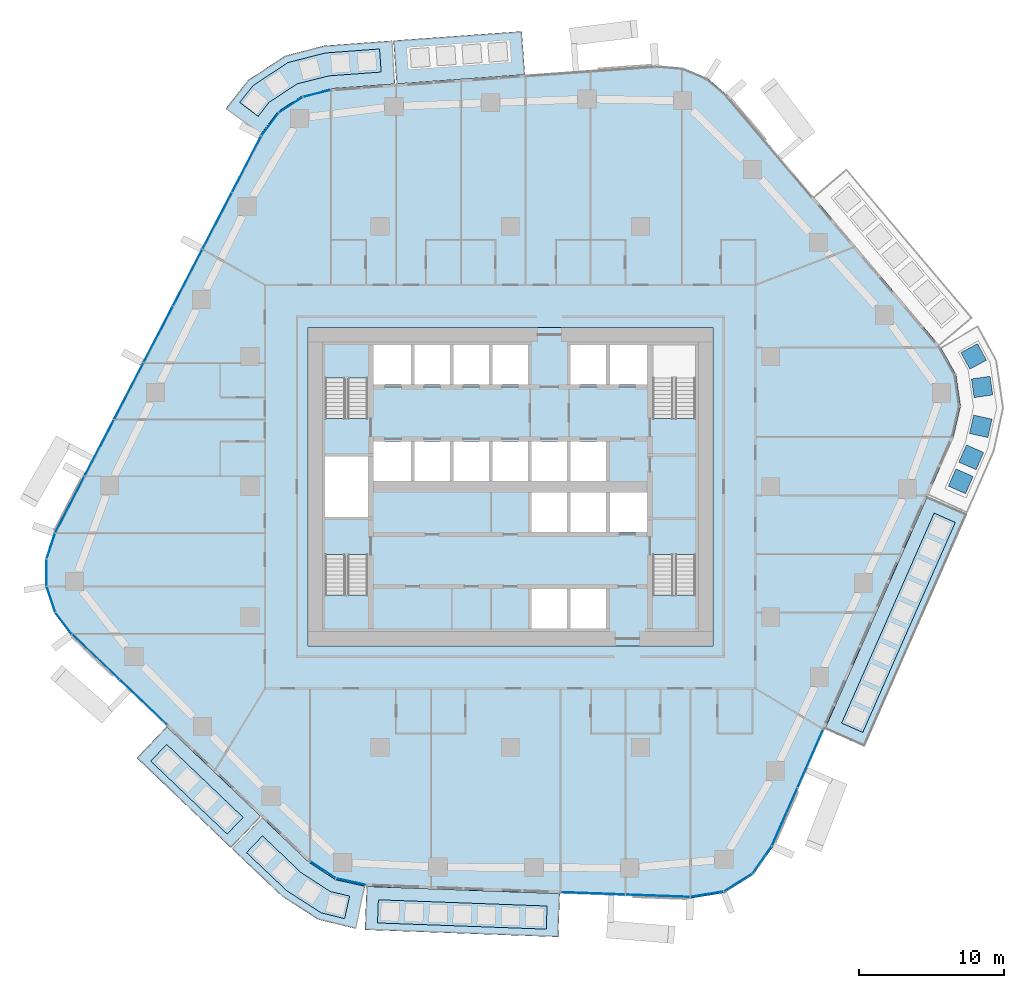
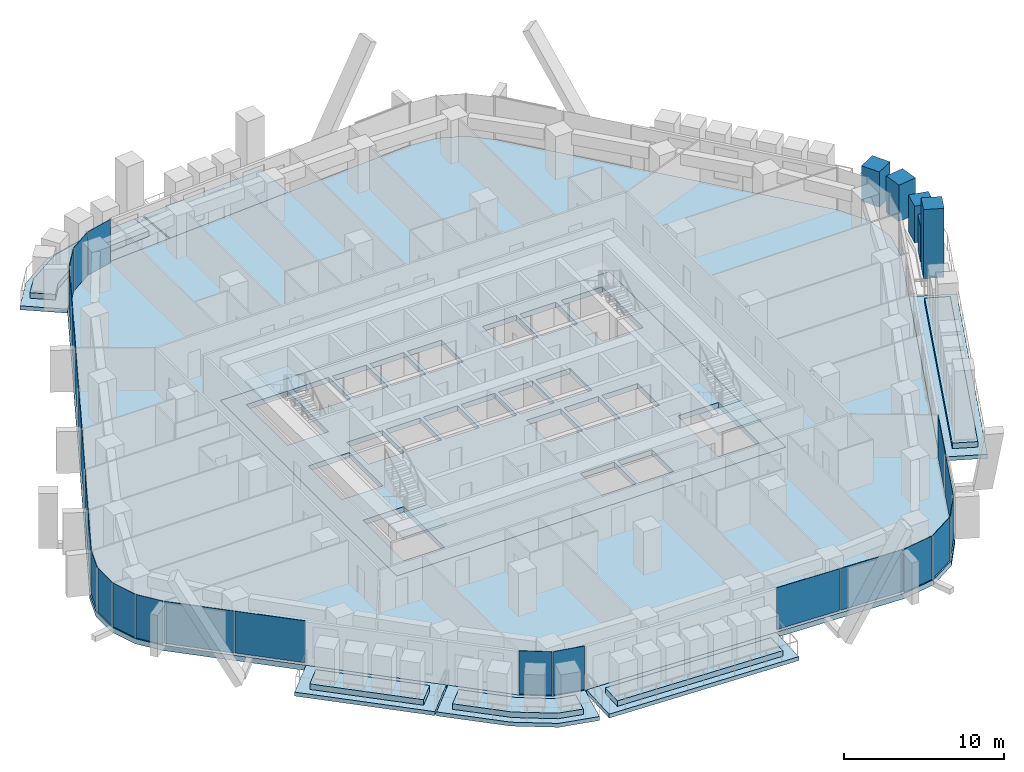
# One storey, part 10 of 24: 25 plates, 16 slabs, 5 members, 11 elements without a shape of their own.
"""IFC4 building model written with IfcOpenShell, lengths in metres."""

import ifcopenshell
import ifcopenshell.guid

model = None  # the IFC model being written
_history = None  # IfcOwnerHistory: only IFC2X3 demands one
_inside = {}  # id of a spatial element -> (the spatial element, [elements in it])
_under = {}  # id of a project, library or spatial element -> (it, [spatial elements below it])
_declared = {}  # id of a project -> (the project, [libraries it declares])
_typed = {}  # id of a type object -> (the type object, [elements of that type])
_made_of = {}  # id of a material, layer set ... -> (it, [elements and type objects made of it])


def new_model(schema):
    """Start an empty IFC model of exactly this schema.

    Asked for "IFC4X3", IfcOpenShell would pick the latest addendum, in which some entities
    have other attributes; the version numbers below select the first issue.
    IFC2X3 requires an IfcOwnerHistory on every rooted entity: one is made here for all.
    """
    global model, _history
    if schema == "IFC4X3":
        model = ifcopenshell.file(schema_version=(4, 3, 0, 0))
    else:
        model = ifcopenshell.file(schema=schema)
    _inside.clear()
    _under.clear()
    _declared.clear()
    _typed.clear()
    _made_of.clear()
    _history = None
    if model.schema == "IFC2X3":
        org = make("IfcOrganization", Name="unknown")
        user = make(
            "IfcPersonAndOrganization",
            ThePerson=make("IfcPerson", FamilyName="unknown"),
            TheOrganization=org,
        )
        app = make(
            "IfcApplication",
            ApplicationDeveloper=org,
            Version="unknown",
            ApplicationFullName="unknown",
            ApplicationIdentifier="unknown",
        )
        _history = make(
            "IfcOwnerHistory",
            OwningUser=user,
            OwningApplication=app,
            ChangeAction="ADDED",
            CreationDate=0,
        )
    return model


def make(cls, **values):
    """One entity of the class cls with the attributes given. An attribute that is None is left unset."""
    return model.create_entity(
        cls, **{name: value for name, value in values.items() if value is not None}
    )


def rooted(cls, **values):
    """An entity with a GlobalId (a new one), such as an element, a storey or a relation."""
    return make(cls, GlobalId=ifcopenshell.guid.new(), OwnerHistory=_history, **values)


def si_unit(unit_type, name, prefix=None):
    """IfcSIUnit, for example si_unit("LENGTHUNIT", "METRE", prefix="MILLI")."""
    return make("IfcSIUnit", UnitType=unit_type, Prefix=prefix, Name=name)


def assignment(units):
    """IfcUnitAssignment: the units of a project."""
    return None if units is None else make("IfcUnitAssignment", Units=units)


def point(xyz):
    """IfcCartesianPoint."""
    return None if xyz is None else make("IfcCartesianPoint", Coordinates=xyz)


def direction(xyz):
    """IfcDirection."""
    return None if xyz is None else make("IfcDirection", DirectionRatios=xyz)


def frame(location, z_axis=None, x_axis=None):
    """IfcAxis2Placement3D, a coordinate frame: its origin and axes. An axis left out is left unset."""
    return make(
        "IfcAxis2Placement3D",
        Location=point(location),
        Axis=direction(z_axis),
        RefDirection=direction(x_axis),
    )


def frame_2d(location, x_axis=None):
    """IfcAxis2Placement2D, a coordinate frame in the plane: its origin and x axis."""
    return make(
        "IfcAxis2Placement2D", Location=point(location), RefDirection=direction(x_axis)
    )


def origin():
    """The frame at (0, 0, 0) with its axes left unset."""
    return frame((0.0, 0.0, 0.0))


def origin_2d():
    """The frame at (0, 0) in the plane with its x axis left unset."""
    return frame_2d((0.0, 0.0))


def place(relative_to, where):
    """IfcLocalPlacement: puts the frame where relative to a parent placement (None: the world)."""
    return make(
        "IfcLocalPlacement", PlacementRelTo=relative_to, RelativePlacement=where
    )


def context(
    kind, dimensions, precision=None, world=None, true_north=None, identifier=None
):
    """IfcGeometricRepresentationContext, for example the 3D "Model" context."""
    return make(
        "IfcGeometricRepresentationContext",
        ContextIdentifier=identifier,
        ContextType=kind,
        CoordinateSpaceDimension=dimensions,
        Precision=precision,
        WorldCoordinateSystem=world,
        TrueNorth=true_north,
    )


def subcontext(parent, identifier, kind, view, scale=None):
    """IfcGeometricRepresentationSubContext, for example "Body" below "Model"."""
    return make(
        "IfcGeometricRepresentationSubContext",
        ContextIdentifier=identifier,
        ContextType=kind,
        ParentContext=parent,
        TargetScale=scale,
        TargetView=view,
    )


def project(units=None, contexts=None):
    """IfcProject with its units and contexts."""
    return rooted(
        "IfcProject",
        Name="project",
        RepresentationContexts=contexts,
        UnitsInContext=assignment(units),
    )


def spatial(cls, under=None, at=None, **own):
    """A site, building, storey or space (cls), placed at a placement, below another one or the project."""
    s = rooted(cls, ObjectPlacement=at, **own)
    if under is not None:
        _under.setdefault(under.id(), (under, []))[1].append(s)
    return s


def polyline(points):
    """IfcPolyline through the points."""
    return make("IfcPolyline", Points=[point(p) for p in points])


def profile(cls, at=None, kind="AREA", **sizes):
    """A parametric profile (cls). Its sizes go by their IFC names, for example OverallWidth=200.0."""
    return make(cls, ProfileType=kind, Position=at, **sizes)


def rectangle(**sizes):
    """IfcRectangleProfileDef."""
    return profile("IfcRectangleProfileDef", **sizes)


def outline(outer, holes=None, kind="AREA"):
    """IfcArbitraryClosedProfileDef: a profile drawn as a closed curve; with holes, ...WithVoids."""
    if holes is None:
        return make("IfcArbitraryClosedProfileDef", ProfileType=kind, OuterCurve=outer)
    return make(
        "IfcArbitraryProfileDefWithVoids",
        ProfileType=kind,
        OuterCurve=outer,
        InnerCurves=holes,
    )


def extrude(swept, where, along, depth):
    """IfcExtrudedAreaSolid: the profile swept, set in the frame where, extruded along a direction by depth."""
    return make(
        "IfcExtrudedAreaSolid",
        SweptArea=swept,
        Position=where,
        ExtrudedDirection=direction(along),
        Depth=depth,
    )


def shape(context_of_items, identifier, shape_type, items):
    """IfcShapeRepresentation: the items that make up one representation, for example the "Body"."""
    return make(
        "IfcShapeRepresentation",
        ContextOfItems=context_of_items,
        RepresentationIdentifier=identifier,
        RepresentationType=shape_type,
        Items=items,
    )


def material(Name=None, Category=None):
    """IfcMaterial."""
    return make("IfcMaterial", Name=Name, Category=Category)


def layer(
    of_material, thickness, ventilated=None, Name=None, Category=None, Priority=None
):
    """IfcMaterialLayer: one layer of a wall or slab, of a material (None: an air gap)."""
    return make(
        "IfcMaterialLayer",
        Material=of_material,
        LayerThickness=thickness,
        IsVentilated=ventilated,
        Name=Name,
        Category=Category,
        Priority=Priority,
    )


def layer_set(layers, Name=None):
    """IfcMaterialLayerSet."""
    return make("IfcMaterialLayerSet", MaterialLayers=layers, LayerSetName=Name)


def material_profile(
    of_material, cross_section, Name=None, Category=None, Priority=None
):
    """IfcMaterialProfile: a cross section and its material."""
    return make(
        "IfcMaterialProfile",
        Name=Name,
        Material=of_material,
        Profile=cross_section,
        Priority=Priority,
        Category=Category,
    )


def profile_set(profiles, Name=None, composite=None):
    """IfcMaterialProfileSet."""
    return make(
        "IfcMaterialProfileSet",
        Name=Name,
        MaterialProfiles=profiles,
        CompositeProfile=composite,
    )


def made_of(thing, what):
    """Note that an element or type object is made of a material, layer set ...; save() writes the relation."""
    if what is not None:
        _made_of.setdefault(what.id(), (what, []))[1].append(thing)
    return thing


def type_object(cls, material=None, **own):
    """A type object (cls), such as IfcWallType, which elements share."""
    return made_of(rooted(cls, **own), material)


def element(
    cls,
    number,
    at=None,
    inside=None,
    cuts=None,
    type_object=None,
    material=None,
    context=None,
    identifier="Body",
    shape_type=None,
    held_by="IfcProductDefinitionShape",
    body=None,
    shapes=None,
    **own,
):
    """One element of the class cls, such as IfcWall. Its Tag is "e" and its number.

    at: its placement. inside: the storey or other place that contains it. cuts: it is an
    opening in that element (IfcRelVoidsElement). A single representation is given by context,
    identifier, shape_type and body (its items); several are given by shapes. held_by: the class
    of the entity that holds the representations. save() writes the other relations.
    """
    e = rooted(cls, Tag="e%d" % number, ObjectPlacement=at, **own)
    if body is not None:
        shapes = [shape(context, identifier, shape_type, body)]
    if shapes is not None:
        e.Representation = make(held_by, Representations=shapes)
    if inside is not None:
        _inside.setdefault(inside.id(), (inside, []))[1].append(e)
    if cuts is not None:
        rooted(
            "IfcRelVoidsElement", RelatingBuildingElement=cuts, RelatedOpeningElement=e
        )
    if type_object is not None:
        _typed.setdefault(type_object.id(), (type_object, []))[1].append(e)
    return made_of(e, material)


def aggregate(whole, parts):
    """IfcRelAggregates: a whole, such as a stair, and the parts it consists of."""
    return rooted("IfcRelAggregates", RelatingObject=whole, RelatedObjects=parts)


def save(model, path):
    """Write the relations noted so far, then the file.

    IfcRelAggregates (storeys below a building ...), IfcRelContainedInSpatialStructure (elements
    in a storey), IfcRelDefinesByType, IfcRelAssociatesMaterial and IfcRelDeclares: one each for
    every whole, place, type object, material and project.
    """
    for whole, parts in _under.values():
        aggregate(whole, parts)
    for where, things in _inside.values():
        rooted(
            "IfcRelContainedInSpatialStructure",
            RelatedElements=things,
            RelatingStructure=where,
        )
    for kind, things in _typed.values():
        rooted("IfcRelDefinesByType", RelatedObjects=things, RelatingType=kind)
    for what, things in _made_of.values():
        rooted("IfcRelAssociatesMaterial", RelatedObjects=things, RelatingMaterial=what)
    for by, libraries in _declared.values():
        rooted("IfcRelDeclares", RelatingContext=by, RelatedDefinitions=libraries)
    model.write(path)


model = new_model("IFC4")

# Units and contexts
model_context = context("Model", 3, precision=1e-05, world=origin(), true_north=direction((0.0, 1.0)))
body_context = subcontext(model_context, "Body", "Model", "MODEL_VIEW")
ifc_project = project(units=[si_unit("LENGTHUNIT", "METRE"), si_unit("AREAUNIT", "SQUARE_METRE"), si_unit("VOLUMEUNIT", "CUBIC_METRE"), si_unit("PLANEANGLEUNIT", "RADIAN"), si_unit("MASSUNIT", "GRAM", prefix="KILO")], contexts=[model_context])

# Site, building, storey
site_placement = place(None, origin())
site = spatial("IfcSite", under=ifc_project, at=site_placement, CompositionType="ELEMENT")
building_placement = place(site_placement, origin())
building = spatial("IfcBuilding", under=site, at=building_placement, Name="Dongbaek Canopy Tower", CompositionType="ELEMENT")
storey_placement = place(building_placement, frame((0.0, 0.0, 113.699951171875)))
storey = spatial("IfcBuildingStorey", under=building, at=storey_placement, Name="L24", CompositionType="ELEMENT", Elevation=113.699951171875)

# Members
ifc_material_1 = material(Name="Concrete C40/50 planter mass with planting", Category="concrete")
ifc_material_profile = material_profile(ifc_material_1, rectangle(XDim=1.300048828125, YDim=1.300048828125, at=origin_2d()), Name="Terrace PLANTER shrub mass 1300 x 1300")
ifc_profile_set = profile_set([ifc_material_profile], Name="Concrete C40/50 planter mass with planting")
member_type = type_object("IfcMemberType", Name="Terrace PLANTER shrub mass 1300 x 1300", PredefinedType="USERDEFINED", material=ifc_profile_set)
member_1_placement = place(storey_placement, frame((31.132080078125, 0.374755859375, 0.420166015625), z_axis=(0.0, 0.0, 1.0), x_axis=(0.915886374984, -0.401437601775, 0.0)))
element("IfcMember", 1, at=member_1_placement, inside=storey, type_object=member_type, Name="Planter tree L24 6.1", ObjectType="PLANTER", PredefinedType="USERDEFINED", context=body_context, shape_type="SweptSolid", body=[
    extrude(rectangle(XDim=1.300048828125, YDim=1.300048828125, at=origin_2d()), origin(), (0.0, 0.0, 1.0), 5.25),
])
member_2_placement = place(storey_placement, frame((31.85888671875, 2.033203125, 0.420166015625), z_axis=(0.0, 0.0, 1.0), x_axis=(0.915886374984, -0.401437601775, 0.0)))
element("IfcMember", 2, at=member_2_placement, inside=storey, type_object=member_type, Name="Planter shrubs L24 6.2", ObjectType="PLANTER", PredefinedType="USERDEFINED", context=body_context, shape_type="SweptSolid", body=[
    extrude(rectangle(XDim=1.300048828125, YDim=1.300048828125, at=origin_2d()), origin(), (0.0, 0.0, 1.0), 2.72998046875),
])
member_3_placement = place(storey_placement, frame((32.51708984375, 4.17578125, 0.420166015625), z_axis=(0.0, 0.0, 1.0), x_axis=(0.975740218309, -0.21893155637, 0.0)))
element("IfcMember", 3, at=member_3_placement, inside=storey, type_object=member_type, Name="Planter shrubs L24 6.3", ObjectType="PLANTER", PredefinedType="USERDEFINED", context=body_context, shape_type="SweptSolid", body=[
    extrude(rectangle(XDim=1.300048828125, YDim=1.300048828125, at=origin_2d()), origin(), (0.0, 0.0, 1.0), 2.77978515625),
])
member_4_placement = place(storey_placement, frame((32.60791015625, 6.898681640625, 0.420166015625), z_axis=(0.0, 0.0, 1.0), x_axis=(0.989700206201, 0.143155516293, 0.0)))
element("IfcMember", 4, at=member_4_placement, inside=storey, type_object=member_type, Name="Planter shrubs L24 6.4", ObjectType="PLANTER", PredefinedType="USERDEFINED", context=body_context, shape_type="SweptSolid", body=[
    extrude(rectangle(XDim=1.300048828125, YDim=1.300048828125, at=origin_2d()), origin(), (0.0, 0.0, 1.0), 2.769775390625),
])
member_5_placement = place(storey_placement, frame((32.025634765625, 9.004638671875, 0.420166015625), z_axis=(0.0, 0.0, 1.0), x_axis=(0.878675212962, 0.477420014375, 0.0)))
element("IfcMember", 5, at=member_5_placement, inside=storey, type_object=member_type, Name="Planter shrubs L24 6.5", ObjectType="PLANTER", PredefinedType="USERDEFINED", context=body_context, shape_type="SweptSolid", body=[
    extrude(rectangle(XDim=1.300048828125, YDim=1.300048828125, at=origin_2d()), origin(), (0.0, 0.0, 1.0), 2.68994140625),
])

# Slabs
ifc_material_2 = material(Name="Concrete C40/50", Category="concrete")
ifc_layer_1 = layer(ifc_material_2, 0.300048828125)
ifc_layer_set_1 = layer_set([ifc_layer_1], Name="Balcony slab 300")
slab_type_1 = type_object("IfcSlabType", Name="Balcony slab 300", PredefinedType="FLOOR", material=ifc_layer_set_1)
slab_1_placement = place(storey_placement, frame((0.0, 0.0, -0.300048828125)))
element("IfcSlab", 6, at=slab_1_placement, inside=storey, type_object=slab_type_1, Name="Balcony L24 2", PredefinedType="FLOOR", context=body_context, shape_type="SweptSolid", body=[
    extrude(outline(polyline([(1.005859375, 28.485107421875), (-7.866455078125, 27.846923828125), (-8.081787109375, 30.839111328125), (0.790771484375, 31.477294921875), (1.005859375, 28.485107421875)])), origin(), (0.0, 0.0, 1.0), 0.300048828125),
])
slab_2_placement = place(storey_placement, frame((0.0, 0.0, -0.300048828125)))
element("IfcSlab", 7, at=slab_2_placement, inside=storey, type_object=slab_type_1, Name="Balcony L24 7", PredefinedType="FLOOR", context=body_context, shape_type="SweptSolid", body=[
    extrude(outline(polyline([(-7.96630859375, 27.839599609375), (-12.402587890625, 27.5205078125), (-14.37353515625, 27.034423828125), (-16.06982421875, 25.918701171875), (-17.2666015625, 24.341064453125), (-19.65673828125, 26.154296875), (-18.11865234375, 28.110107421875), (-15.574462890625, 29.78369140625), (-12.870849609375, 30.48388671875), (-8.181396484375, 30.83203125), (-7.96630859375, 27.839599609375)])), origin(), (0.0, 0.0, 1.0), 0.300048828125),
])
slab_3_placement = place(storey_placement, frame((0.0, 0.0, -0.300048828125)))
element("IfcSlab", 8, at=slab_3_placement, inside=storey, type_object=slab_type_1, Name="Balcony L24 3", PredefinedType="FLOOR", context=body_context, shape_type="SweptSolid", body=[
    extrude(outline(polyline([(-23.7509765625, -16.577392578125), (-17.238525390625, -22.794189453125), (-19.309814453125, -24.964111328125), (-25.822509765625, -18.74755859375), (-23.7509765625, -16.577392578125)])), origin(), (0.0, 0.0, 1.0), 0.300048828125),
])
slab_4_placement = place(storey_placement, frame((0.0, 0.0, -0.300048828125)))
element("IfcSlab", 9, at=slab_4_placement, inside=storey, type_object=slab_type_1, Name="Balcony L24 8", PredefinedType="FLOOR", context=body_context, shape_type="SweptSolid", body=[
    extrude(outline(polyline([(-17.166015625, -22.86328125), (-13.909912109375, -25.971435546875), (-12.100830078125, -27.158935546875), (-10.036865234375, -27.616455078125), (-10.686279296875, -30.54541015625), (-13.267578125, -29.922607421875), (-15.7763671875, -28.320068359375), (-19.237548828125, -25.033203125), (-17.166015625, -22.86328125)])), origin(), (0.0, 0.0, 1.0), 0.300048828125),
])
slab_5_placement = place(storey_placement, frame((0.0, 0.0, -0.300048828125)))
element("IfcSlab", 10, at=slab_5_placement, inside=storey, type_object=slab_type_1, Name="Balcony L24 4", PredefinedType="FLOOR", context=body_context, shape_type="SweptSolid", body=[
    extrude(outline(polyline([(-9.938232421875, -27.629150390625), (3.42236328125, -28.1220703125), (3.311767578125, -31.1201171875), (-10.048828125, -30.627197265625), (-9.938232421875, -27.629150390625)])), origin(), (0.0, 0.0, 1.0), 0.300048828125),
])
slab_6_placement = place(storey_placement, frame((0.0, 0.0, -0.300048828125)))
element("IfcSlab", 11, at=slab_6_placement, inside=storey, type_object=slab_type_1, Name="Balcony L24 5", PredefinedType="FLOOR", context=body_context, shape_type="SweptSolid", body=[
    extrude(outline(polyline([(21.73828125, -16.75439453125), (28.81884765625, -0.68798828125), (31.56396484375, -1.89794921875), (24.4833984375, -17.964111328125), (21.73828125, -16.75439453125)])), origin(), (0.0, 0.0, 1.0), 0.300048828125),
])

# Curtain wall, plates
ifc_material_3 = material(Name="Aluminium 6063-T6 pale anodised", Category="aluminium")
ifc_layer_2 = layer(ifc_material_3, 0.199951171875)
ifc_layer_set_2 = layer_set([ifc_layer_2], Name="CW-1 unitised tower curtain wall")
curtain_wall_type = type_object("IfcCurtainWallType", Name="CW-1 unitised tower curtain wall", PredefinedType="NOTDEFINED", material=ifc_layer_set_2)
curtain_wall_1_placement = place(storey_placement, origin())
curtain_wall_1 = element("IfcCurtainWall", 12, at=curtain_wall_1_placement, inside=storey, type_object=curtain_wall_type, Name="CW-1 curtain wall K2.1", PredefinedType="NOTDEFINED")
ifc_material_4 = material(Name="Clear laminated glass", Category="glass")
ifc_layer_3 = layer(ifc_material_4, 0.028076171875)
ifc_layer_set_3 = layer_set([ifc_layer_3], Name="CW-1 glazed panel 28")
plate_type = type_object("IfcPlateType", Name="CW-1 glazed panel 28", PredefinedType="CURTAIN_PANEL", material=ifc_layer_set_3)
plate_1_placement = place(storey_placement, frame((-13.35986328125, 27.181396484375, 0.0), z_axis=(0.0, 0.0, 1.0), x_axis=(-0.970907238878, -0.239455911379, 0.0)))
plate_1 = element("IfcPlate", 13, at=plate_1_placement, type_object=plate_type, Name="CW-1 panel K2.1.1.1", PredefinedType="CURTAIN_PANEL", context=body_context, shape_type="SweptSolid", body=[
    extrude(rectangle(XDim=1.92041015625, YDim=0.028076171875, at=origin_2d()), origin(), (0.0, 0.0, 1.0), 3.300048828125),
])
plate_2_placement = place(storey_placement, frame((-15.166748046875, 26.39306640625, 0.0), z_axis=(0.0, 0.0, 1.0), x_axis=(-0.835470843501, -0.54953477566, 0.0)))
plate_2 = element("IfcPlate", 14, at=plate_2_placement, type_object=plate_type, Name="CW-1 panel K2.1.2.1", PredefinedType="CURTAIN_PANEL", context=body_context, shape_type="SweptSolid", body=[
    extrude(rectangle(XDim=1.911865234375, YDim=0.028076171875, at=origin_2d()), origin(), (0.0, 0.0, 1.0), 3.300048828125),
])
plate_3_placement = place(storey_placement, frame((-16.606201171875, 25.046142578125, 0.0), z_axis=(0.0, 0.0, 1.0), x_axis=(-0.60437978776, -0.796696348772, 0.0)))
plate_3 = element("IfcPlate", 15, at=plate_3_placement, type_object=plate_type, Name="CW-1 panel K2.1.3.1", PredefinedType="CURTAIN_PANEL", context=body_context, shape_type="SweptSolid", body=[
    extrude(rectangle(XDim=1.92041015625, YDim=0.028076171875, at=origin_2d()), origin(), (0.0, 0.0, 1.0), 3.300048828125),
])
aggregate(curtain_wall_1, [plate_1, plate_2, plate_3])

curtain_wall_2_placement = place(storey_placement, origin())
curtain_wall_2 = element("IfcCurtainWall", 16, at=curtain_wall_2_placement, inside=storey, type_object=curtain_wall_type, Name="CW-1 curtain wall F2.1", PredefinedType="NOTDEFINED")
plate_4_placement = place(storey_placement, frame((-18.228271484375, 22.29052734375, 0.1201171875), z_axis=(0.0, 0.0, 1.0), x_axis=(-0.460879720641, -0.887462609411, 0.0)))
plate_4 = element("IfcPlate", 17, at=plate_4_placement, type_object=plate_type, Name="CW-1 panel F2.1.1.1", PredefinedType="CURTAIN_PANEL", context=body_context, shape_type="SweptSolid", body=[
    extrude(rectangle(XDim=4.32666015625, YDim=0.028076171875, at=origin_2d()), origin(), (0.0, 0.0, 1.0), 3.179931640625),
])
plate_5_placement = place(storey_placement, frame((-20.26318359375, 18.372314453125, 0.1201171875), z_axis=(0.0, 0.0, 1.0), x_axis=(-0.460879720641, -0.887462609411, 0.0)))
plate_5 = element("IfcPlate", 18, at=plate_5_placement, type_object=plate_type, Name="CW-1 panel F2.1.2.1", PredefinedType="CURTAIN_PANEL", context=body_context, shape_type="SweptSolid", body=[
    extrude(rectangle(XDim=4.335205078125, YDim=0.028076171875, at=origin_2d()), origin(), (0.0, 0.0, 1.0), 3.179931640625),
])
plate_6_placement = place(storey_placement, frame((-22.2998046875, 14.450439453125, 0.1201171875), z_axis=(0.0, 0.0, 1.0), x_axis=(-0.460879720641, -0.887462609411, 0.0)))
plate_6 = element("IfcPlate", 19, at=plate_6_placement, type_object=plate_type, Name="CW-1 panel F2.1.3.1", PredefinedType="CURTAIN_PANEL", context=body_context, shape_type="SweptSolid", body=[
    extrude(rectangle(XDim=4.335205078125, YDim=0.028076171875, at=origin_2d()), origin(), (0.0, 0.0, 1.0), 3.179931640625),
])
plate_7_placement = place(storey_placement, frame((-24.336669921875, 10.528564453125, 0.1201171875), z_axis=(0.0, 0.0, 1.0), x_axis=(-0.460879720641, -0.887462609411, 0.0)))
plate_7 = element("IfcPlate", 20, at=plate_7_placement, type_object=plate_type, Name="CW-1 panel F2.1.4.1", PredefinedType="CURTAIN_PANEL", context=body_context, shape_type="SweptSolid", body=[
    extrude(rectangle(XDim=4.335205078125, YDim=0.028076171875, at=origin_2d()), origin(), (0.0, 0.0, 1.0), 3.179931640625),
])
plate_8_placement = place(storey_placement, frame((-26.373291015625, 6.606689453125, 0.1201171875), z_axis=(0.0, 0.0, 1.0), x_axis=(-0.460879720641, -0.887462609411, 0.0)))
plate_8 = element("IfcPlate", 21, at=plate_8_placement, type_object=plate_type, Name="CW-1 panel F2.1.5.1", PredefinedType="CURTAIN_PANEL", context=body_context, shape_type="SweptSolid", body=[
    extrude(rectangle(XDim=4.335205078125, YDim=0.028076171875, at=origin_2d()), origin(), (0.0, 0.0, 1.0), 3.179931640625),
])
plate_9_placement = place(storey_placement, frame((-28.41015625, 2.684814453125, 0.1201171875), z_axis=(0.0, 0.0, 1.0), x_axis=(-0.460879720641, -0.887462609411, 0.0)))
plate_9 = element("IfcPlate", 22, at=plate_9_placement, type_object=plate_type, Name="CW-1 panel F2.1.6.1", PredefinedType="CURTAIN_PANEL", context=body_context, shape_type="SweptSolid", body=[
    extrude(rectangle(XDim=4.335205078125, YDim=0.028076171875, at=origin_2d()), origin(), (0.0, 0.0, 1.0), 3.179931640625),
])
plate_10_placement = place(storey_placement, frame((-30.44482421875, -1.2333984375, 0.1201171875), z_axis=(0.0, 0.0, 1.0), x_axis=(-0.460879720641, -0.887462609411, 0.0)))
plate_10 = element("IfcPlate", 23, at=plate_10_placement, type_object=plate_type, Name="CW-1 panel F2.1.7.1", PredefinedType="CURTAIN_PANEL", context=body_context, shape_type="SweptSolid", body=[
    extrude(rectangle(XDim=4.3271484375, YDim=0.028076171875, at=origin_2d()), origin(), (0.0, 0.0, 1.0), 3.179931640625),
])
aggregate(curtain_wall_2, [plate_4, plate_5, plate_6, plate_7, plate_8, plate_9, plate_10])

curtain_wall_3_placement = place(storey_placement, origin())
curtain_wall_3 = element("IfcCurtainWall", 24, at=curtain_wall_3_placement, inside=storey, type_object=curtain_wall_type, Name="CW-1 curtain wall K3.1", PredefinedType="NOTDEFINED")
plate_11_placement = place(storey_placement, frame((-31.75830078125, -4.0927734375, 0.0), z_axis=(0.0, 0.0, 1.0), x_axis=(-0.31269869536, -0.949852370593, 0.0)))
plate_11 = element("IfcPlate", 25, at=plate_11_placement, type_object=plate_type, Name="CW-1 panel K3.1.1.1", PredefinedType="CURTAIN_PANEL", context=body_context, shape_type="SweptSolid", body=[
    extrude(rectangle(XDim=1.814697265625, YDim=0.028076171875, at=origin_2d()), origin(), (0.0, 0.0, 1.0), 3.300048828125),
])
plate_12_placement = place(storey_placement, frame((-32.051513671875, -5.939697265625, 0.0), z_axis=(0.0, 0.0, 1.0), x_axis=(0.003873783475, -0.999992496873, 0.0)))
plate_12 = element("IfcPlate", 26, at=plate_12_placement, type_object=plate_type, Name="CW-1 panel K3.1.2.1", PredefinedType="CURTAIN_PANEL", context=body_context, shape_type="SweptSolid", body=[
    extrude(rectangle(XDim=1.806640625, YDim=0.028076171875, at=origin_2d()), origin(), (0.0, 0.0, 1.0), 3.300048828125),
])
plate_13_placement = place(storey_placement, frame((-31.745361328125, -7.78076171875, 0.0), z_axis=(0.0, 0.0, 1.0), x_axis=(0.320048300125, -0.947401227352, 0.0)))
plate_13 = element("IfcPlate", 27, at=plate_13_placement, type_object=plate_type, Name="CW-1 panel K3.1.3.1", PredefinedType="CURTAIN_PANEL", context=body_context, shape_type="SweptSolid", body=[
    extrude(rectangle(XDim=1.806640625, YDim=0.028076171875, at=origin_2d()), origin(), (0.0, 0.0, 1.0), 3.300048828125),
])
plate_14_placement = place(storey_placement, frame((-30.869873046875, -9.433349609375, 0.0), z_axis=(0.0, 0.0, 1.0), x_axis=(0.603343561483, -0.797481377097, 0.0)))
plate_14 = element("IfcPlate", 28, at=plate_14_placement, type_object=plate_type, Name="CW-1 panel K3.1.4.1", PredefinedType="CURTAIN_PANEL", context=body_context, shape_type="SweptSolid", body=[
    extrude(rectangle(XDim=1.814697265625, YDim=0.028076171875, at=origin_2d()), origin(), (0.0, 0.0, 1.0), 3.300048828125),
])
aggregate(curtain_wall_3, [plate_11, plate_12, plate_13, plate_14])

curtain_wall_4_placement = place(storey_placement, origin())
curtain_wall_4 = element("IfcCurtainWall", 29, at=curtain_wall_4_placement, inside=storey, type_object=curtain_wall_type, Name="CW-1 curtain wall F3.1", PredefinedType="NOTDEFINED")
plate_15_placement = place(storey_placement, frame((-28.65380859375, -11.75927734375, 0.1201171875), z_axis=(0.0, 0.0, 1.0), x_axis=(0.723349119541, -0.690482477156, 0.0)))
plate_15 = element("IfcPlate", 30, at=plate_15_placement, type_object=plate_type, Name="CW-1 panel F3.1.1.1", PredefinedType="CURTAIN_PANEL", context=body_context, shape_type="SweptSolid", body=[
    extrude(rectangle(XDim=4.459716796875, YDim=0.028076171875, at=origin_2d()), origin(), (0.0, 0.0, 1.0), 3.179931640625),
])
plate_16_placement = place(storey_placement, frame((-25.3642578125, -14.899169921875, 0.1201171875), z_axis=(0.0, 0.0, 1.0), x_axis=(0.723349119541, -0.690482477156, 0.0)))
plate_16 = element("IfcPlate", 31, at=plate_16_placement, type_object=plate_type, Name="CW-1 panel F3.1.2.1", PredefinedType="CURTAIN_PANEL", context=body_context, shape_type="SweptSolid", body=[
    extrude(rectangle(XDim=4.4677734375, YDim=0.028076171875, at=origin_2d()), origin(), (0.0, 0.0, 1.0), 3.179931640625),
])
aggregate(curtain_wall_4, [plate_15, plate_16])

curtain_wall_5_placement = place(storey_placement, origin())
curtain_wall_5 = element("IfcCurtainWall", 32, at=curtain_wall_5_placement, inside=storey, type_object=curtain_wall_type, Name="CW-1 curtain wall K4.1", PredefinedType="NOTDEFINED")
plate_17_placement = place(storey_placement, frame((-12.954345703125, -26.47900390625, 0.0), z_axis=(0.0, 0.0, 1.0), x_axis=(0.836003585716, -0.548723978581, 0.0)))
plate_17 = element("IfcPlate", 33, at=plate_17_placement, type_object=plate_type, Name="CW-1 panel K4.1.1.1", PredefinedType="CURTAIN_PANEL", context=body_context, shape_type="SweptSolid", body=[
    extrude(rectangle(XDim=2.052490234375, YDim=0.028076171875, at=origin_2d()), origin(), (0.0, 0.0, 1.0), 3.300048828125),
])
plate_18_placement = place(storey_placement, frame((-11.018310546875, -27.29638671875, 0.0), z_axis=(0.0, 0.0, 1.0), x_axis=(0.976288741887, -0.216472382683, 0.0)))
plate_18 = element("IfcPlate", 34, at=plate_18_placement, type_object=plate_type, Name="CW-1 panel K4.1.2.1", PredefinedType="CURTAIN_PANEL", context=body_context, shape_type="SweptSolid", body=[
    extrude(rectangle(XDim=2.052490234375, YDim=0.028076171875, at=origin_2d()), origin(), (0.0, 0.0, 1.0), 3.300048828125),
])
aggregate(curtain_wall_5, [plate_17, plate_18])

curtain_wall_6_placement = place(storey_placement, origin())
curtain_wall_6 = element("IfcCurtainWall", 35, at=curtain_wall_6_placement, inside=storey, type_object=curtain_wall_type, Name="CW-1 curtain wall F4.1", PredefinedType="NOTDEFINED")
plate_19_placement = place(storey_placement, frame((5.71923828125, -28.10693359375, 0.1201171875), z_axis=(0.0, 0.0, 1.0), x_axis=(0.99931997253, -0.036872652499, 0.0)))
plate_19 = element("IfcPlate", 36, at=plate_19_placement, type_object=plate_type, Name="CW-1 panel F4.1.1.1", PredefinedType="CURTAIN_PANEL", context=body_context, shape_type="SweptSolid", body=[
    extrude(rectangle(XDim=4.40576171875, YDim=0.028076171875, at=origin_2d()), origin(), (0.0, 0.0, 1.0), 3.179931640625),
])
plate_20_placement = place(storey_placement, frame((10.201171875, -28.272216796875, 0.1201171875), z_axis=(0.0, 0.0, 1.0), x_axis=(0.99931997253, -0.036872652499, 0.0)))
plate_20 = element("IfcPlate", 37, at=plate_20_placement, type_object=plate_type, Name="CW-1 panel F4.1.2.1", PredefinedType="CURTAIN_PANEL", context=body_context, shape_type="SweptSolid", body=[
    extrude(rectangle(XDim=4.39599609375, YDim=0.028076171875, at=origin_2d()), origin(), (0.0, 0.0, 1.0), 3.179931640625),
])
aggregate(curtain_wall_6, [plate_19, plate_20])

curtain_wall_7_placement = place(storey_placement, origin())
curtain_wall_7 = element("IfcCurtainWall", 38, at=curtain_wall_7_placement, inside=storey, type_object=curtain_wall_type, Name="CW-1 curtain wall K5.1", PredefinedType="NOTDEFINED")
plate_21_placement = place(storey_placement, frame((13.593994140625, -28.166259765625, 0.0), z_axis=(0.0, 0.0, 1.0), x_axis=(0.986925933455, 0.161174445476, 0.0)))
plate_21 = element("IfcPlate", 39, at=plate_21_placement, type_object=plate_type, Name="CW-1 panel K5.1.1.1", PredefinedType="CURTAIN_PANEL", context=body_context, shape_type="SweptSolid", body=[
    extrude(rectangle(XDim=2.25537109375, YDim=0.028076171875, at=origin_2d()), origin(), (0.0, 0.0, 1.0), 3.300048828125),
])
plate_22_placement = place(storey_placement, frame((15.7353515625, -27.359619140625, 0.0), z_axis=(0.0, 0.0, 1.0), x_axis=(0.847571733396, 0.530680842642, 0.0)))
plate_22 = element("IfcPlate", 40, at=plate_22_placement, type_object=plate_type, Name="CW-1 panel K5.1.2.1", PredefinedType="CURTAIN_PANEL", context=body_context, shape_type="SweptSolid", body=[
    extrude(rectangle(XDim=2.2451171875, YDim=0.028076171875, at=origin_2d()), origin(), (0.0, 0.0, 1.0), 3.300048828125),
])
plate_23_placement = place(storey_placement, frame((17.396240234375, -25.78564453125, 0.0), z_axis=(0.0, 0.0, 1.0), x_axis=(0.576034847572, 0.817425136867, 0.0)))
plate_23 = element("IfcPlate", 41, at=plate_23_placement, type_object=plate_type, Name="CW-1 panel K5.1.3.1", PredefinedType="CURTAIN_PANEL", context=body_context, shape_type="SweptSolid", body=[
    extrude(rectangle(XDim=2.25537109375, YDim=0.028076171875, at=origin_2d()), origin(), (0.0, 0.0, 1.0), 3.300048828125),
])
aggregate(curtain_wall_7, [plate_21, plate_22, plate_23])

curtain_wall_8_placement = place(storey_placement, origin())
curtain_wall_8 = element("IfcCurtainWall", 42, at=curtain_wall_8_placement, inside=storey, type_object=curtain_wall_type, Name="CW-1 curtain wall F5.1", PredefinedType="NOTDEFINED")
plate_24_placement = place(storey_placement, frame((18.958251953125, -22.814208984375, 0.1201171875), z_axis=(0.0, 0.0, 1.0), x_axis=(0.403288773867, 0.915072764797, 0.0)))
plate_24 = element("IfcPlate", 43, at=plate_24_placement, type_object=plate_type, Name="CW-1 panel F5.1.1.1", PredefinedType="CURTAIN_PANEL", context=body_context, shape_type="SweptSolid", body=[
    extrude(rectangle(XDim=4.3203125, YDim=0.028076171875, at=origin_2d()), origin(), (0.0, 0.0, 1.0), 3.179931640625),
])
plate_25_placement = place(storey_placement, frame((20.736328125, -18.779541015625, 0.1201171875), z_axis=(0.0, 0.0, 1.0), x_axis=(0.403288773867, 0.915072764797, 0.0)))
plate_25 = element("IfcPlate", 44, at=plate_25_placement, type_object=plate_type, Name="CW-1 panel F5.1.2.1", PredefinedType="CURTAIN_PANEL", context=body_context, shape_type="SweptSolid", body=[
    extrude(rectangle(XDim=4.330322265625, YDim=0.028076171875, at=origin_2d()), origin(), (0.0, 0.0, 1.0), 3.179931640625),
])
aggregate(curtain_wall_8, [plate_24, plate_25])

# Slab
ifc_material_5 = material(Name="Concrete C40/50", Category="concrete")
ifc_layer_4 = layer(ifc_material_5, 0.39990234375)
ifc_layer_set_4 = layer_set([ifc_layer_4], Name="Core floor slab 400 Concrete C40/50")
slab_type_2 = type_object("IfcSlabType", Name="Core floor slab 400 Concrete C40/50", PredefinedType="FLOOR", material=ifc_layer_set_4)
slab_7_placement = place(storey_placement, frame((0.0, 0.0, -0.39990234375)))
element("IfcSlab", 45, at=slab_7_placement, inside=storey, type_object=slab_type_2, Name="Core floor slab L24", PredefinedType="FLOOR", context=body_context, shape_type="SweptSolid", body=[
    extrude(outline(polyline([(14.0, -11.0), (14.0, 11.0), (-14.0, 11.0), (-14.0, -11.0), (14.0, -11.0)]), holes=[polyline([(-12.800048828125, 2.10009765625), (-9.85009765625, 2.10009765625), (-9.85009765625, -2.10009765625), (-12.800048828125, -2.10009765625), (-12.800048828125, 2.10009765625)]), polyline([(-6.875, 9.800048828125), (-6.875, 7.074951171875), (-9.449951171875, 7.074951171875), (-9.449951171875, 9.800048828125), (-6.875, 9.800048828125)]), polyline([(-4.175048828125, 9.800048828125), (-4.175048828125, 7.074951171875), (-6.625, 7.074951171875), (-6.625, 9.800048828125), (-4.175048828125, 9.800048828125)]), polyline([(-1.47509765625, 9.800048828125), (-1.47509765625, 7.074951171875), (-3.925048828125, 7.074951171875), (-3.925048828125, 9.800048828125), (-1.47509765625, 9.800048828125)]), polyline([(1.22509765625, 9.800048828125), (1.22509765625, 7.074951171875), (-1.22509765625, 7.074951171875), (-1.22509765625, 9.800048828125), (1.22509765625, 9.800048828125)]), polyline([(6.625, 9.800048828125), (6.625, 7.074951171875), (4.175048828125, 7.074951171875), (4.175048828125, 9.800048828125), (6.625, 9.800048828125)]), polyline([(9.449951171875, 7.074951171875), (6.875, 7.074951171875), (6.875, 9.800048828125), (9.449951171875, 9.800048828125), (9.449951171875, 7.074951171875)]), polyline([(-9.449951171875, 3.125), (-6.875, 3.125), (-6.875, 0.39990234375), (-9.449951171875, 0.39990234375), (-9.449951171875, 3.125)]), polyline([(-6.625, 3.125), (-4.175048828125, 3.125), (-4.175048828125, 0.39990234375), (-6.625, 0.39990234375), (-6.625, 3.125)]), polyline([(-3.925048828125, 3.125), (-1.47509765625, 3.125), (-1.47509765625, 0.39990234375), (-3.925048828125, 0.39990234375), (-3.925048828125, 3.125)]), polyline([(-1.22509765625, 3.125), (1.22509765625, 3.125), (1.22509765625, 0.39990234375), (-1.22509765625, 0.39990234375), (-1.22509765625, 3.125)]), polyline([(1.47509765625, 0.39990234375), (1.47509765625, 3.125), (3.925048828125, 3.125), (3.925048828125, 0.39990234375), (1.47509765625, 0.39990234375)]), polyline([(4.175048828125, 0.39990234375), (4.175048828125, 3.125), (6.625, 3.125), (6.625, 0.39990234375), (4.175048828125, 0.39990234375)]), polyline([(1.47509765625, -0.39990234375), (3.925048828125, -0.39990234375), (3.925048828125, -3.125), (1.47509765625, -3.125), (1.47509765625, -0.39990234375)]), polyline([(6.625, -0.39990234375), (6.625, -3.125), (4.175048828125, -3.125), (4.175048828125, -0.39990234375), (6.625, -0.39990234375)]), polyline([(9.449951171875, -3.125), (6.875, -3.125), (6.875, -0.39990234375), (9.449951171875, -0.39990234375), (9.449951171875, -3.125)]), polyline([(1.47509765625, -9.800048828125), (1.47509765625, -7.074951171875), (3.925048828125, -7.074951171875), (3.925048828125, -9.800048828125), (1.47509765625, -9.800048828125)]), polyline([(4.175048828125, -9.800048828125), (4.175048828125, -7.074951171875), (6.625, -7.074951171875), (6.625, -9.800048828125), (4.175048828125, -9.800048828125)]), polyline([(12.800048828125, 4.70068359375), (12.800048828125, 9.800048828125), (9.85009765625, 9.800048828125), (9.85009765625, 4.70068359375), (12.800048828125, 4.70068359375)]), polyline([(-9.85009765625, 4.70068359375), (-9.85009765625, 9.800048828125), (-12.800048828125, 9.800048828125), (-12.800048828125, 4.70068359375), (-9.85009765625, 4.70068359375)]), polyline([(9.85009765625, -4.70068359375), (9.85009765625, -9.800048828125), (12.800048828125, -9.800048828125), (12.800048828125, -4.70068359375), (9.85009765625, -4.70068359375)]), polyline([(-12.800048828125, -4.70068359375), (-12.800048828125, -9.800048828125), (-9.85009765625, -9.800048828125), (-9.85009765625, -4.70068359375), (-12.800048828125, -4.70068359375)])]), origin(), (0.0, 0.0, 1.0), 0.39990234375),
])

# Stair, slab
ifc_material_6 = material(Name="Concrete C40/50", Category="concrete")
stair_type = type_object("IfcStairType", Name="Core exit stair", PredefinedType="HALF_TURN_STAIR", material=ifc_material_6)
stair_1_placement = place(storey_placement, origin())
stair_1 = element("IfcStair", 46, at=stair_1_placement, inside=storey, type_object=stair_type, Name="L24 exit stair C", PredefinedType="HALF_TURN_STAIR")
ifc_material_7 = material(Name="Concrete C40/50", Category="concrete")
ifc_layer_5 = layer(ifc_material_7, 0.199951171875)
ifc_layer_set_5 = layer_set([ifc_layer_5], Name="Core stair landing 200")
slab_type_3 = type_object("IfcSlabType", Name="Core stair landing 200", PredefinedType="LANDING", material=ifc_layer_set_5)
slab_8_placement = place(storey_placement, frame((0.0, 0.0, 1.650146484375)))
slab_8 = element("IfcSlab", 47, at=slab_8_placement, type_object=slab_type_3, Name="ST-C landing 1", PredefinedType="LANDING", context=body_context, shape_type="SweptSolid", body=[
    extrude(outline(polyline([(-9.77490234375, 7.5), (-9.77490234375, 9.875), (-12.875, 9.875), (-12.875, 7.5), (-9.77490234375, 7.5)])), origin(), (0.0, 0.0, 1.0), 0.199951171875),
])
aggregate(stair_1, [slab_8])

stair_2_placement = place(storey_placement, origin())
stair_2 = element("IfcStair", 48, at=stair_2_placement, inside=storey, type_object=stair_type, Name="L24 exit stair B", PredefinedType="HALF_TURN_STAIR")
slab_9_placement = place(storey_placement, frame((0.0, 0.0, 1.650146484375)))
slab_9 = element("IfcSlab", 49, at=slab_9_placement, type_object=slab_type_3, Name="ST-B landing 1", PredefinedType="LANDING", context=body_context, shape_type="SweptSolid", body=[
    extrude(outline(polyline([(9.77490234375, -7.5), (9.77490234375, -9.875), (12.875, -9.875), (12.875, -7.5), (9.77490234375, -7.5)])), origin(), (0.0, 0.0, 1.0), 0.199951171875),
])
aggregate(stair_2, [slab_9])

stair_3_placement = place(storey_placement, origin())
stair_3 = element("IfcStair", 50, at=stair_3_placement, inside=storey, type_object=stair_type, Name="L24 exit stair D", PredefinedType="HALF_TURN_STAIR")
slab_10_placement = place(storey_placement, frame((0.0, 0.0, 1.650146484375)))
slab_10 = element("IfcSlab", 51, at=slab_10_placement, type_object=slab_type_3, Name="ST-D landing 1", PredefinedType="LANDING", context=body_context, shape_type="SweptSolid", body=[
    extrude(outline(polyline([(-12.875, -7.5), (-12.875, -9.875), (-9.77490234375, -9.875), (-9.77490234375, -7.5), (-12.875, -7.5)])), origin(), (0.0, 0.0, 1.0), 0.199951171875),
])
aggregate(stair_3, [slab_10])

# Slabs
ifc_material_8 = material(Name="Concrete C40", Category="concrete")
ifc_layer_6 = layer(ifc_material_8, 0.39990234375)
ifc_layer_set_6 = layer_set([ifc_layer_6], Name="RC FLAT PLATE 400 Concrete C40")
slab_type_4 = type_object("IfcSlabType", Name="RC FLAT PLATE 400 Concrete C40", PredefinedType="FLOOR", material=ifc_layer_set_6)
slab_11_placement = place(storey_placement, frame((0.0, 0.0, -0.39990234375)))
element("IfcSlab", 52, at=slab_11_placement, inside=storey, type_object=slab_type_4, Name="SLAB:L24", PredefinedType="FLOOR", context=body_context, shape_type="SweptSolid", body=[
    extrude(outline(polyline([(18.157470703125, -24.87890625), (16.79248046875, -26.81591796875), (14.7841796875, -28.0732421875), (12.44580078125, -28.455078125), (-9.98828125, -27.627197265625), (-12.100830078125, -27.158935546875), (-13.909912109375, -25.971435546875), (-30.3720703125, -10.25732421875), (-31.5322265625, -8.7236328125), (-32.147705078125, -6.901611328125), (-32.1552734375, -4.978515625), (-31.553955078125, -3.15185546875), (-17.296875, 24.30126953125), (-16.06982421875, 25.918701171875), (-14.37353515625, 27.034423828125), (-12.402587890625, 27.5205078125), (10.028076171875, 29.134033203125), (11.893798828125, 28.97509765625), (13.6201171875, 28.248779296875), (15.0380859375, 27.02587890625), (29.70849609375, 9.693115234375), (30.805419921875, 7.760498046875), (31.123291015625, 5.561279296875), (30.619384765625, 3.397216796875), (18.157470703125, -24.87890625)]), holes=[polyline([(14.0, 11.0), (-14.0, 11.0), (-14.0, -11.0), (14.0, -11.0), (14.0, 11.0)])]), origin(), (0.0, 0.0, 1.0), 0.39990234375),
])
ifc_material_9 = material(Name="Reinforced concrete C40/50 planter box with soil", Category="concrete")
ifc_layer_7 = layer(ifc_material_9, 0.419921875)
ifc_layer_set_7 = layer_set([ifc_layer_7], Name="Terrace planter box 1600 x 420")
slab_type_5 = type_object("IfcSlabType", Name="Terrace planter box 1600 x 420", PredefinedType="USERDEFINED", material=ifc_layer_set_7)
slab_12_placement = place(storey_placement, origin())
element("IfcSlab", 53, at=slab_12_placement, inside=storey, type_object=slab_type_5, Name="Balcony planter L24 7", ObjectType="PLANTER", PredefinedType="USERDEFINED", context=body_context, shape_type="SweptSolid", body=[
    extrude(outline(polyline([(-8.927734375, 28.662841796875), (-12.54150390625, 28.399658203125), (-14.729736328125, 27.85009765625), (-16.677734375, 26.56884765625), (-17.431640625, 25.59619140625), (-18.706298828125, 26.56298828125), (-17.770263671875, 27.737548828125), (-15.370361328125, 29.316162109375), (-12.791259765625, 29.97998046875), (-9.04248046875, 30.2587890625), (-8.927734375, 28.662841796875)])), origin(), (0.0, 0.0, 1.0), 0.420166015625),
])
slab_13_placement = place(storey_placement, origin())
element("IfcSlab", 54, at=slab_13_placement, inside=storey, type_object=slab_type_5, Name="Balcony planter L24 3", ObjectType="PLANTER", PredefinedType="USERDEFINED", context=body_context, shape_type="SweptSolid", body=[
    extrude(outline(polyline([(-23.750732421875, -17.80810546875), (-18.4677734375, -22.85107421875), (-19.572509765625, -24.00830078125), (-24.85546875, -18.965576171875), (-23.750732421875, -17.80810546875)])), origin(), (0.0, 0.0, 1.0), 0.420166015625),
])
slab_14_placement = place(storey_placement, origin())
element("IfcSlab", 55, at=slab_14_placement, inside=storey, type_object=slab_type_5, Name="Balcony planter L24 8", ObjectType="PLANTER", PredefinedType="USERDEFINED", context=body_context, shape_type="SweptSolid", body=[
    extrude(outline(polyline([(-17.129638671875, -24.12841796875), (-14.463623046875, -26.668212890625), (-12.447021484375, -27.978759765625), (-11.1083984375, -28.29052734375), (-11.45458984375, -29.8525390625), (-13.0693359375, -29.452880859375), (-15.458984375, -27.9208984375), (-18.234375, -25.285888671875), (-17.129638671875, -24.12841796875)])), origin(), (0.0, 0.0, 1.0), 0.420166015625),
])
slab_15_placement = place(storey_placement, origin())
element("IfcSlab", 56, at=slab_15_placement, inside=storey, type_object=slab_type_5, Name="Balcony planter L24 4", ObjectType="PLANTER", PredefinedType="USERDEFINED", context=body_context, shape_type="SweptSolid", body=[
    extrude(outline(polyline([(-9.12158203125, -28.5498046875), (2.5400390625, -28.980224609375), (2.48095703125, -30.5791015625), (-9.1806640625, -30.14892578125), (-9.12158203125, -28.5498046875)])), origin(), (0.0, 0.0, 1.0), 0.420166015625),
])
slab_16_placement = place(storey_placement, origin())
element("IfcSlab", 57, at=slab_16_placement, inside=storey, type_object=slab_type_5, Name="Balcony planter L24 5", ObjectType="PLANTER", PredefinedType="USERDEFINED", context=body_context, shape_type="SweptSolid", body=[
    extrude(outline(polyline([(22.8955078125, -16.33544921875), (29.29052734375, -1.82470703125), (30.754638671875, -2.469970703125), (24.359619140625, -16.980712890625), (22.8955078125, -16.33544921875)])), origin(), (0.0, 0.0, 1.0), 0.420166015625),
])

save(model, "model.ifc")
